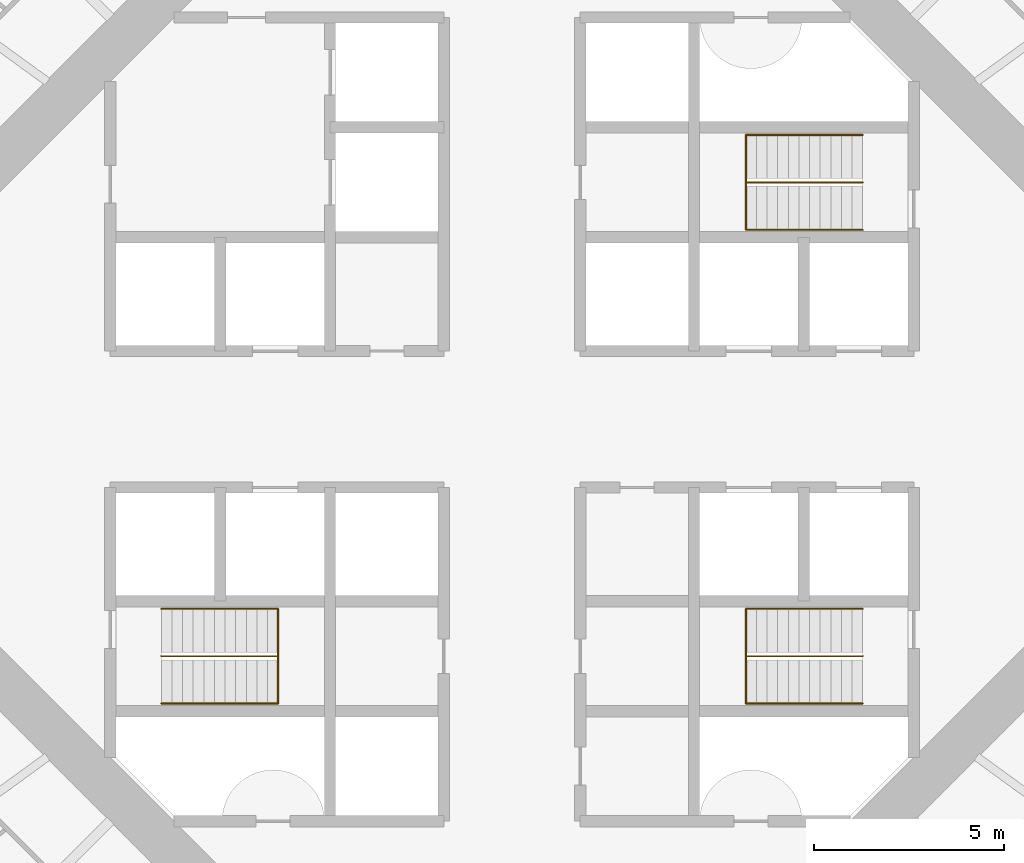
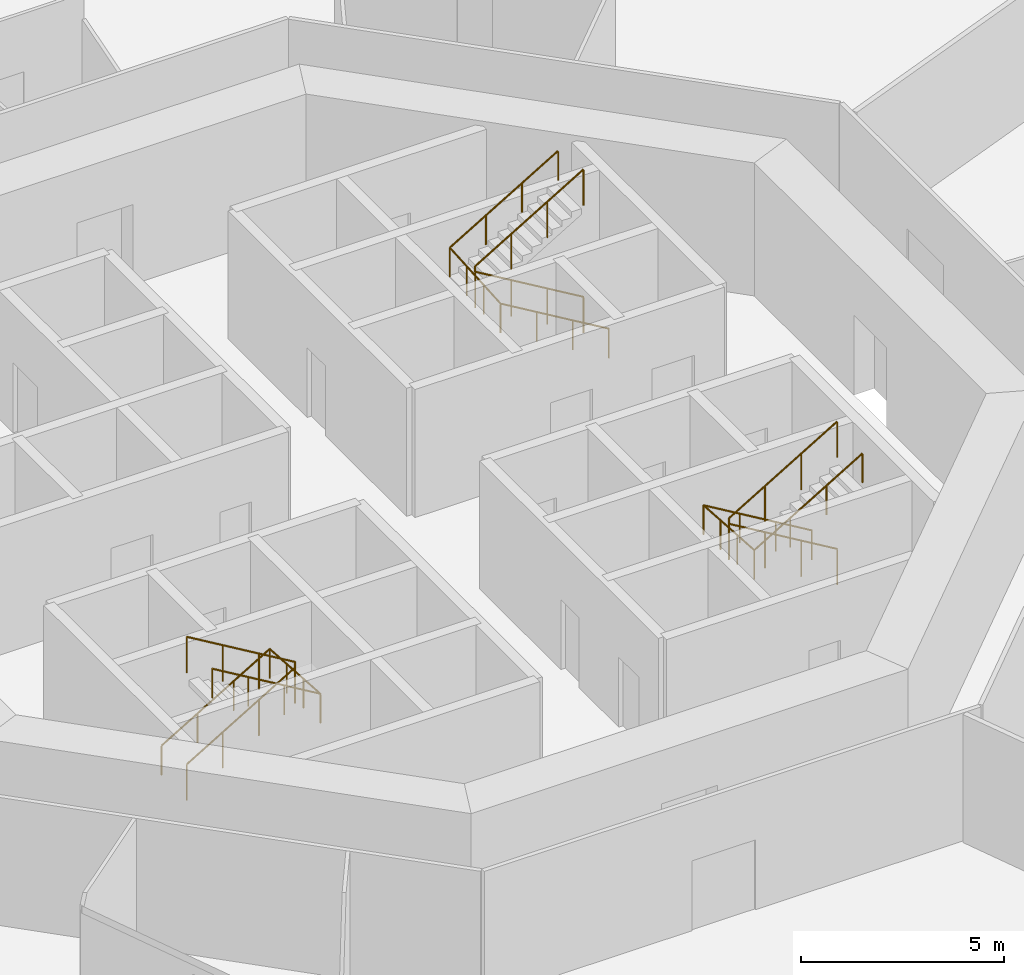
# One storey, part 13 of 13: 6 railings.
"""IFC4 building model written with IfcOpenShell, lengths in metres."""

from ifc_helpers import new_model, si_unit, direction, frame, origin, origin_2d, place, context, subcontext, project, spatial, circle, extrude, material, type_object, element, save


model = new_model("IFC4")

# Units and contexts
model_context = context("Model", 3, precision=1e-05, world=origin(), true_north=direction((0.0, 1.0)))
body_context = subcontext(model_context, "Body", "Model", "MODEL_VIEW")
ifc_project = project(units=[si_unit("LENGTHUNIT", "METRE"), si_unit("AREAUNIT", "SQUARE_METRE"), si_unit("VOLUMEUNIT", "CUBIC_METRE"), si_unit("PLANEANGLEUNIT", "RADIAN"), si_unit("MASSUNIT", "GRAM", prefix="KILO")], contexts=[model_context])

# Site, building, storey
site_placement = place(None, origin())
site = spatial("IfcSite", under=ifc_project, at=site_placement, CompositionType="ELEMENT")
building_placement = place(site_placement, origin())
building = spatial("IfcBuilding", under=site, at=building_placement, Name="Entoto Ring Tower", CompositionType="ELEMENT")
storey_placement = place(building_placement, frame((0.0, 0.0, 104.0)))
storey = spatial("IfcBuildingStorey", under=building, at=storey_placement, Name="L23", CompositionType="ELEMENT", Elevation=104.0)

# Railings
ifc_material_1 = material(Name="Steel S275", Category="steel")
railing_type_1 = type_object("IfcRailingType", Name="Stair guard 1100 mm steel", PredefinedType="GUARDRAIL", material=ifc_material_1)
railing_1_placement = place(storey_placement, frame((99.25, 86.25, 0.166748046875)))
element("IfcRailing", 1, at=railing_1_placement, inside=storey, type_object=railing_type_1, Name="Guard ST1", PredefinedType="GUARDRAIL", context=body_context, shape_type="SweptSolid", body=[
    extrude(circle(Radius=0.02392578125, at=origin_2d()), frame((0.0, 0.0, 1.076171875), z_axis=(-0.859308565015, 0.0, 0.511457515432), x_axis=(0.0, -1.0, 0.0)), (0.0, 0.0, 1.0), 3.58447265625),
    extrude(circle(Radius=0.02392578125, at=origin_2d()), frame((-3.080078125, 0.0, 2.9091796875), z_axis=(0.0, 0.0, 1.0), x_axis=(1.0, 0.0, 0.0)), (0.0, 0.0, 1.0), 0.166748046875),
    extrude(circle(Radius=0.02392578125, at=origin_2d()), frame((-3.080078125, 0.0, 3.076171875), z_axis=(0.859308565015, 0.0, 0.511457515432), x_axis=(0.0, 1.0, 0.0)), (0.0, 0.0, 1.0), 3.58447265625),
    extrude(circle(Radius=0.02099609375, at=origin_2d()), origin(), (0.0, 0.0, 1.0), 1.052001953125),
    extrude(circle(Radius=0.02099609375, at=origin_2d()), frame((-1.026611328125, 0.0, 0.611083984375)), (0.0, 0.0, 1.0), 1.052001953125),
    extrude(circle(Radius=0.02099609375, at=origin_2d()), frame((-2.053466796875, 0.0, 1.22216796875)), (0.0, 0.0, 1.0), 1.052001953125),
    extrude(circle(Radius=0.02099609375, at=origin_2d()), frame((-3.080078125, 0.0, 1.833251953125)), (0.0, 0.0, 1.0), 1.052001953125),
    extrude(circle(Radius=0.02099609375, at=origin_2d()), frame((-3.080078125, 0.0, 2.0)), (0.0, 0.0, 1.0), 1.052001953125),
    extrude(circle(Radius=0.02099609375, at=origin_2d()), frame((-2.053466796875, 0.0, 2.611083984375)), (0.0, 0.0, 1.0), 1.052001953125),
    extrude(circle(Radius=0.02099609375, at=origin_2d()), frame((-1.026611328125, 0.0, 3.22216796875)), (0.0, 0.0, 1.0), 1.052001953125),
    extrude(circle(Radius=0.02099609375, at=origin_2d()), frame((0.0, 0.0, 3.833251953125)), (0.0, 0.0, 1.0), 1.052001953125),
])
railing_2_placement = place(storey_placement, frame((80.75, 73.75, 0.166748046875)))
element("IfcRailing", 2, at=railing_2_placement, inside=storey, type_object=railing_type_1, Name="Guard ST2", PredefinedType="GUARDRAIL", context=body_context, shape_type="SweptSolid", body=[
    extrude(circle(Radius=0.02392578125, at=origin_2d()), frame((0.0, 0.0, 1.076171875), z_axis=(0.859308565015, 0.0, 0.511457515432), x_axis=(0.0, 1.0, 0.0)), (0.0, 0.0, 1.0), 3.58447265625),
    extrude(circle(Radius=0.02392578125, at=origin_2d()), frame((3.080078125, 0.0, 2.9091796875), z_axis=(0.0, 0.0, 1.0), x_axis=(1.0, 0.0, 0.0)), (0.0, 0.0, 1.0), 0.166748046875),
    extrude(circle(Radius=0.02392578125, at=origin_2d()), frame((3.080078125, 0.0, 3.076171875), z_axis=(-0.859308565015, 0.0, 0.511457515432), x_axis=(0.0, -1.0, 0.0)), (0.0, 0.0, 1.0), 3.58447265625),
    extrude(circle(Radius=0.02099609375, at=origin_2d()), origin(), (0.0, 0.0, 1.0), 1.052001953125),
    extrude(circle(Radius=0.02099609375, at=origin_2d()), frame((1.026611328125, 0.0, 0.611083984375)), (0.0, 0.0, 1.0), 1.052001953125),
    extrude(circle(Radius=0.02099609375, at=origin_2d()), frame((2.053466796875, 0.0, 1.22216796875)), (0.0, 0.0, 1.0), 1.052001953125),
    extrude(circle(Radius=0.02099609375, at=origin_2d()), frame((3.080078125, 0.0, 1.833251953125)), (0.0, 0.0, 1.0), 1.052001953125),
    extrude(circle(Radius=0.02099609375, at=origin_2d()), frame((3.080078125, 0.0, 2.0)), (0.0, 0.0, 1.0), 1.052001953125),
    extrude(circle(Radius=0.02099609375, at=origin_2d()), frame((2.053466796875, 0.0, 2.611083984375)), (0.0, 0.0, 1.0), 1.052001953125),
    extrude(circle(Radius=0.02099609375, at=origin_2d()), frame((1.026611328125, 0.0, 3.22216796875)), (0.0, 0.0, 1.0), 1.052001953125),
    extrude(circle(Radius=0.02099609375, at=origin_2d()), frame((0.0, 0.0, 3.833251953125)), (0.0, 0.0, 1.0), 1.052001953125),
])
railing_3_placement = place(storey_placement, frame((99.25, 73.75, 0.166748046875)))
element("IfcRailing", 3, at=railing_3_placement, inside=storey, type_object=railing_type_1, Name="Guard ST3", PredefinedType="GUARDRAIL", context=body_context, shape_type="SweptSolid", body=[
    extrude(circle(Radius=0.02392578125, at=origin_2d()), frame((0.0, 0.0, 1.076171875), z_axis=(-0.859308565015, 0.0, 0.511457515432), x_axis=(0.0, -1.0, 0.0)), (0.0, 0.0, 1.0), 3.58447265625),
    extrude(circle(Radius=0.02392578125, at=origin_2d()), frame((-3.080078125, 0.0, 2.9091796875), z_axis=(0.0, 0.0, 1.0), x_axis=(1.0, 0.0, 0.0)), (0.0, 0.0, 1.0), 0.166748046875),
    extrude(circle(Radius=0.02392578125, at=origin_2d()), frame((-3.080078125, 0.0, 3.076171875), z_axis=(0.859308565015, 0.0, 0.511457515432), x_axis=(0.0, 1.0, 0.0)), (0.0, 0.0, 1.0), 3.58447265625),
    extrude(circle(Radius=0.02099609375, at=origin_2d()), origin(), (0.0, 0.0, 1.0), 1.052001953125),
    extrude(circle(Radius=0.02099609375, at=origin_2d()), frame((-1.026611328125, 0.0, 0.611083984375)), (0.0, 0.0, 1.0), 1.052001953125),
    extrude(circle(Radius=0.02099609375, at=origin_2d()), frame((-2.053466796875, 0.0, 1.22216796875)), (0.0, 0.0, 1.0), 1.052001953125),
    extrude(circle(Radius=0.02099609375, at=origin_2d()), frame((-3.080078125, 0.0, 1.833251953125)), (0.0, 0.0, 1.0), 1.052001953125),
    extrude(circle(Radius=0.02099609375, at=origin_2d()), frame((-3.080078125, 0.0, 2.0)), (0.0, 0.0, 1.0), 1.052001953125),
    extrude(circle(Radius=0.02099609375, at=origin_2d()), frame((-2.053466796875, 0.0, 2.611083984375)), (0.0, 0.0, 1.0), 1.052001953125),
    extrude(circle(Radius=0.02099609375, at=origin_2d()), frame((-1.026611328125, 0.0, 3.22216796875)), (0.0, 0.0, 1.0), 1.052001953125),
    extrude(circle(Radius=0.02099609375, at=origin_2d()), frame((0.0, 0.0, 3.833251953125)), (0.0, 0.0, 1.0), 1.052001953125),
])
ifc_material_2 = material(Name="Steel S275", Category="steel")
railing_type_2 = type_object("IfcRailingType", Name="Stair handrail 900 mm steel", PredefinedType="HANDRAIL", material=ifc_material_2)
railing_4_placement = place(storey_placement, frame((99.25, 85.0, 0.166748046875)))
element("IfcRailing", 4, at=railing_4_placement, inside=storey, type_object=railing_type_2, Name="Handrail ST1", PredefinedType="HANDRAIL", context=body_context, shape_type="SweptSolid", body=[
    extrude(circle(Radius=0.02392578125, at=origin_2d()), frame((0.0, 0.0, 0.8759765625), z_axis=(-0.859308565015, 0.0, 0.511457515432), x_axis=(0.0, -1.0, 0.0)), (0.0, 0.0, 1.0), 3.58447265625),
    extrude(circle(Radius=0.02392578125, at=origin_2d()), frame((-3.080078125, 0.0, 2.708984375), z_axis=(0.0, 0.997783001586, 0.066551346688), x_axis=(-1.0, 0.0, 0.0)), (0.0, 0.0, 1.0), 2.505615234375),
    extrude(circle(Radius=0.02392578125, at=origin_2d()), frame((-3.080078125, 2.5, 2.8759765625), z_axis=(0.859308565015, 0.0, 0.511457515432), x_axis=(0.0, 1.0, 0.0)), (0.0, 0.0, 1.0), 3.58447265625),
    extrude(circle(Radius=0.02099609375, at=origin_2d()), origin(), (0.0, 0.0, 1.0), 0.851806640625),
    extrude(circle(Radius=0.02099609375, at=origin_2d()), frame((-1.026611328125, 0.0, 0.611083984375)), (0.0, 0.0, 1.0), 0.851806640625),
    extrude(circle(Radius=0.02099609375, at=origin_2d()), frame((-2.053466796875, 0.0, 1.22216796875)), (0.0, 0.0, 1.0), 0.851806640625),
    extrude(circle(Radius=0.02099609375, at=origin_2d()), frame((-3.080078125, 0.0, 1.833251953125)), (0.0, 0.0, 1.0), 0.851806640625),
    extrude(circle(Radius=0.02099609375, at=origin_2d()), frame((-3.080078125, 0.833251953125, 1.888916015625)), (0.0, 0.0, 1.0), 0.851806640625),
    extrude(circle(Radius=0.02099609375, at=origin_2d()), frame((-3.080078125, 1.666748046875, 1.9443359375)), (0.0, 0.0, 1.0), 0.851806640625),
    extrude(circle(Radius=0.02099609375, at=origin_2d()), frame((-3.080078125, 2.5, 2.0)), (0.0, 0.0, 1.0), 0.851806640625),
    extrude(circle(Radius=0.02099609375, at=origin_2d()), frame((-2.053466796875, 2.5, 2.611083984375)), (0.0, 0.0, 1.0), 0.851806640625),
    extrude(circle(Radius=0.02099609375, at=origin_2d()), frame((-1.026611328125, 2.5, 3.22216796875)), (0.0, 0.0, 1.0), 0.851806640625),
    extrude(circle(Radius=0.02099609375, at=origin_2d()), frame((0.0, 2.5, 3.833251953125)), (0.0, 0.0, 1.0), 0.851806640625),
])
railing_5_placement = place(storey_placement, frame((80.75, 75.0, 0.166748046875)))
element("IfcRailing", 5, at=railing_5_placement, inside=storey, type_object=railing_type_2, Name="Handrail ST2", PredefinedType="HANDRAIL", context=body_context, shape_type="SweptSolid", body=[
    extrude(circle(Radius=0.02392578125, at=origin_2d()), frame((0.0, 0.0, 0.8759765625), z_axis=(0.859308565015, 0.0, 0.511457515432), x_axis=(0.0, 1.0, 0.0)), (0.0, 0.0, 1.0), 3.58447265625),
    extrude(circle(Radius=0.02392578125, at=origin_2d()), frame((3.080078125, 0.0, 2.708984375), z_axis=(0.0, -0.997783001586, 0.066551346688), x_axis=(1.0, 0.0, 0.0)), (0.0, 0.0, 1.0), 2.505615234375),
    extrude(circle(Radius=0.02392578125, at=origin_2d()), frame((3.080078125, -2.5, 2.8759765625), z_axis=(-0.859308565015, 0.0, 0.511457515432), x_axis=(0.0, -1.0, 0.0)), (0.0, 0.0, 1.0), 3.58447265625),
    extrude(circle(Radius=0.02099609375, at=origin_2d()), origin(), (0.0, 0.0, 1.0), 0.851806640625),
    extrude(circle(Radius=0.02099609375, at=origin_2d()), frame((1.026611328125, 0.0, 0.611083984375)), (0.0, 0.0, 1.0), 0.851806640625),
    extrude(circle(Radius=0.02099609375, at=origin_2d()), frame((2.053466796875, 0.0, 1.22216796875)), (0.0, 0.0, 1.0), 0.851806640625),
    extrude(circle(Radius=0.02099609375, at=origin_2d()), frame((3.080078125, 0.0, 1.833251953125)), (0.0, 0.0, 1.0), 0.851806640625),
    extrude(circle(Radius=0.02099609375, at=origin_2d()), frame((3.080078125, -0.833251953125, 1.888916015625)), (0.0, 0.0, 1.0), 0.851806640625),
    extrude(circle(Radius=0.02099609375, at=origin_2d()), frame((3.080078125, -1.666748046875, 1.9443359375)), (0.0, 0.0, 1.0), 0.851806640625),
    extrude(circle(Radius=0.02099609375, at=origin_2d()), frame((3.080078125, -2.5, 2.0)), (0.0, 0.0, 1.0), 0.851806640625),
    extrude(circle(Radius=0.02099609375, at=origin_2d()), frame((2.053466796875, -2.5, 2.611083984375)), (0.0, 0.0, 1.0), 0.851806640625),
    extrude(circle(Radius=0.02099609375, at=origin_2d()), frame((1.026611328125, -2.5, 3.22216796875)), (0.0, 0.0, 1.0), 0.851806640625),
    extrude(circle(Radius=0.02099609375, at=origin_2d()), frame((0.0, -2.5, 3.833251953125)), (0.0, 0.0, 1.0), 0.851806640625),
])
railing_6_placement = place(storey_placement, frame((99.25, 75.0, 0.166748046875)))
element("IfcRailing", 6, at=railing_6_placement, inside=storey, type_object=railing_type_2, Name="Handrail ST3", PredefinedType="HANDRAIL", context=body_context, shape_type="SweptSolid", body=[
    extrude(circle(Radius=0.02392578125, at=origin_2d()), frame((0.0, 0.0, 0.8759765625), z_axis=(-0.859308565015, 0.0, 0.511457515432), x_axis=(0.0, -1.0, 0.0)), (0.0, 0.0, 1.0), 3.58447265625),
    extrude(circle(Radius=0.02392578125, at=origin_2d()), frame((-3.080078125, 0.0, 2.708984375), z_axis=(0.0, -0.997783001586, 0.066551346688), x_axis=(1.0, 0.0, 0.0)), (0.0, 0.0, 1.0), 2.505615234375),
    extrude(circle(Radius=0.02392578125, at=origin_2d()), frame((-3.080078125, -2.5, 2.8759765625), z_axis=(0.859308565015, 0.0, 0.511457515432), x_axis=(0.0, 1.0, 0.0)), (0.0, 0.0, 1.0), 3.58447265625),
    extrude(circle(Radius=0.02099609375, at=origin_2d()), origin(), (0.0, 0.0, 1.0), 0.851806640625),
    extrude(circle(Radius=0.02099609375, at=origin_2d()), frame((-1.026611328125, 0.0, 0.611083984375)), (0.0, 0.0, 1.0), 0.851806640625),
    extrude(circle(Radius=0.02099609375, at=origin_2d()), frame((-2.053466796875, 0.0, 1.22216796875)), (0.0, 0.0, 1.0), 0.851806640625),
    extrude(circle(Radius=0.02099609375, at=origin_2d()), frame((-3.080078125, 0.0, 1.833251953125)), (0.0, 0.0, 1.0), 0.851806640625),
    extrude(circle(Radius=0.02099609375, at=origin_2d()), frame((-3.080078125, -0.833251953125, 1.888916015625)), (0.0, 0.0, 1.0), 0.851806640625),
    extrude(circle(Radius=0.02099609375, at=origin_2d()), frame((-3.080078125, -1.666748046875, 1.9443359375)), (0.0, 0.0, 1.0), 0.851806640625),
    extrude(circle(Radius=0.02099609375, at=origin_2d()), frame((-3.080078125, -2.5, 2.0)), (0.0, 0.0, 1.0), 0.851806640625),
    extrude(circle(Radius=0.02099609375, at=origin_2d()), frame((-2.053466796875, -2.5, 2.611083984375)), (0.0, 0.0, 1.0), 0.851806640625),
    extrude(circle(Radius=0.02099609375, at=origin_2d()), frame((-1.026611328125, -2.5, 3.22216796875)), (0.0, 0.0, 1.0), 0.851806640625),
    extrude(circle(Radius=0.02099609375, at=origin_2d()), frame((0.0, -2.5, 3.833251953125)), (0.0, 0.0, 1.0), 0.851806640625),
])

save(model, "model.ifc")
